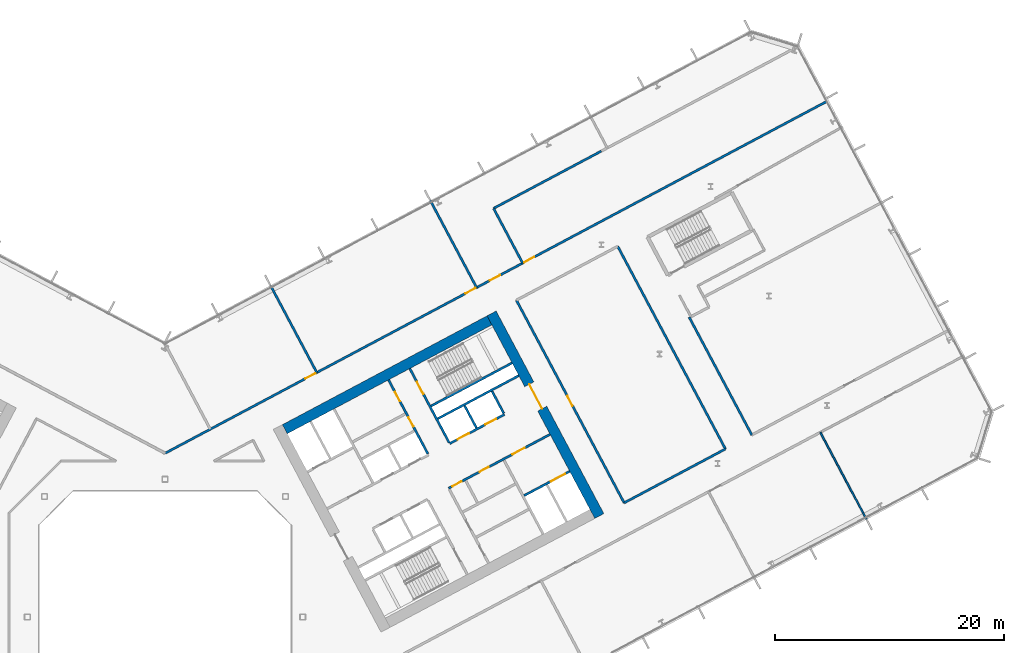
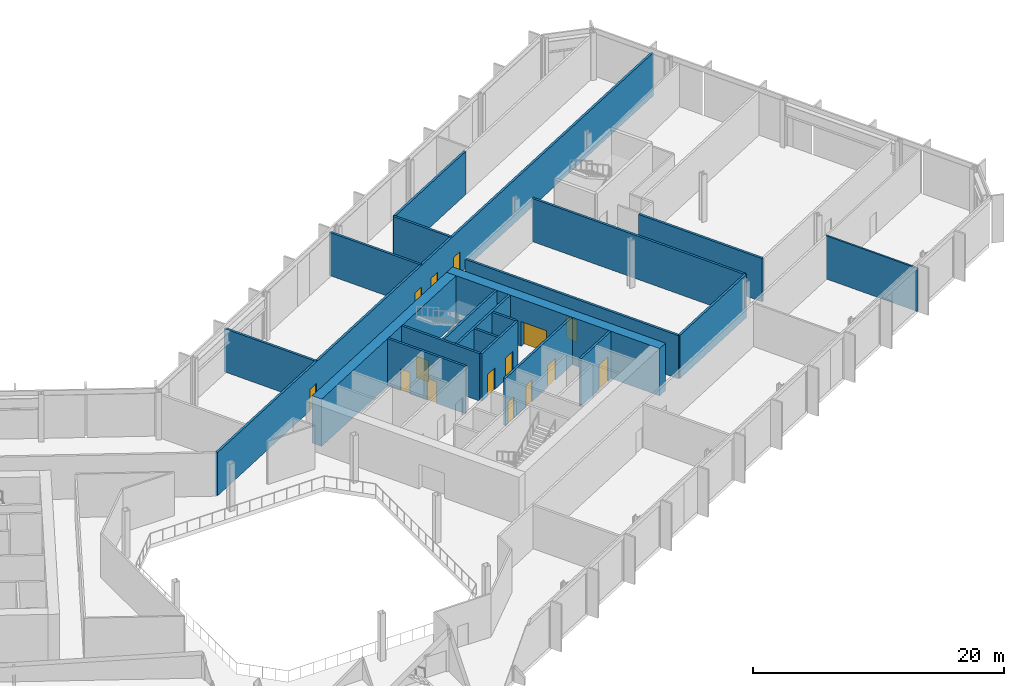
# One storey, part 18 of 31: 21 walls, 15 doors, 15 openings.
"""IFC4 building model written with IfcOpenShell, lengths in metres."""

from ifc_helpers import new_model, si_unit, direction, frame, frame_2d, origin, place, context, subcontext, project, spatial, rectangle, extrude, material, layer, layer_set, type_object, element, fill, save


model = new_model("IFC4")

# Units and contexts
model_context = context("Model", 3, precision=1e-05, world=origin(), true_north=direction((0.0, 1.0)))
body_context = subcontext(model_context, "Body", "Model", "MODEL_VIEW")
ifc_project = project(units=[si_unit("LENGTHUNIT", "METRE"), si_unit("AREAUNIT", "SQUARE_METRE"), si_unit("VOLUMEUNIT", "CUBIC_METRE"), si_unit("PLANEANGLEUNIT", "RADIAN"), si_unit("MASSUNIT", "GRAM", prefix="KILO")], contexts=[model_context])

# Site, building, storey
site_placement = place(None, origin())
site = spatial("IfcSite", under=ifc_project, at=site_placement, CompositionType="ELEMENT")
building_placement = place(site_placement, origin())
building = spatial("IfcBuilding", under=site, at=building_placement, Name="Cormorant Relay Tower", CompositionType="ELEMENT")
storey_placement = place(building_placement, frame((0.0, 0.0, 103.0)))
storey = spatial("IfcBuildingStorey", under=building, at=storey_placement, Name="L20", CompositionType="ELEMENT", Elevation=103.0)

# Wall
ifc_material_1 = material(Name="Concrete 40 MPa", Category="concrete")
ifc_layer_1 = layer(ifc_material_1, 0.199951171875)
ifc_layer_set_1 = layer_set([ifc_layer_1], Name="Core internal wall 200")
wall_type_1 = type_object("IfcWallType", Name="Core internal wall 200", PredefinedType="SOLIDWALL", material=ifc_layer_set_1)
wall_1_placement = place(storey_placement, frame((27.144287109375, 16.471435546875, 0.0), z_axis=(0.0, 0.0, 1.0), x_axis=(-0.469401318492, 0.882984938828, 0.0)))
element("IfcWall", 1, at=wall_1_placement, inside=storey, type_object=wall_type_1, Name="L20 core B shaft and room wall", PredefinedType="SOLIDWALL", context=body_context, shape_type="SweptSolid", body=[
    extrude(rectangle(XDim=2.199951171875, YDim=0.199951171875, at=frame_2d((1.10009765625, 0.0))), origin(), (0.0, 0.0, 1.0), 4.60009765625),
])

# Wall, openings, doors
ifc_material_2 = material(Name="Concrete 50 MPa", Category="concrete")
ifc_layer_2 = layer(ifc_material_2, 0.199951171875)
ifc_layer_set_2 = layer_set([ifc_layer_2], Name="Core shaft wall 200")
wall_type_2 = type_object("IfcWallType", Name="Core shaft wall 200", PredefinedType="SHEAR", material=ifc_layer_set_2)
wall_2_placement = place(storey_placement, frame((22.90625, 14.218017578125, 0.0), z_axis=(0.0, 0.0, 1.0), x_axis=(-0.469480409012, 0.88294288918, 0.0)))
wall_2 = element("IfcWall", 2, at=wall_2_placement, inside=storey, type_object=wall_type_2, Name="L20 core B shaft wall", PredefinedType="SHEAR", context=body_context, shape_type="SweptSolid", body=[
    extrude(rectangle(XDim=7.300048828125, YDim=0.199951171875, at=frame_2d((3.64990234375, 0.0))), origin(), (0.0, 0.0, 1.0), 4.60009765625),
])
opening_1_placement = place(wall_2_placement, frame((2.699951171875, 0.0, 0.0)))
opening_1 = element("IfcOpeningElement", 3, at=opening_1_placement, cuts=wall_2, Name="Opening CDD-141", PredefinedType="OPENING", context=body_context, shape_type="SweptSolid", body=[
    extrude(rectangle(XDim=0.89990234375, YDim=2.10009765625, at=frame_2d((0.449951171875, 1.050048828125))), frame((0.0, 0.10986328125, 0.0), z_axis=(0.0, -1.0, 0.0), x_axis=(1.0, 0.0, 0.0)), (0.0, 0.0, 1.0), 0.219970703125),
])
opening_2_placement = place(wall_2_placement, frame((5.199951171875, 0.0, 0.0)))
opening_2 = element("IfcOpeningElement", 4, at=opening_2_placement, cuts=wall_2, Name="Opening CDD-142", PredefinedType="OPENING", context=body_context, shape_type="SweptSolid", body=[
    extrude(rectangle(XDim=0.89990234375, YDim=2.10009765625, at=frame_2d((0.449951171875, 1.050048828125))), frame((0.0, 0.10986328125, 0.0), z_axis=(0.0, -1.0, 0.0), x_axis=(1.0, 0.0, 0.0)), (0.0, 0.0, 1.0), 0.219970703125),
])
ifc_material_3 = material(Name="Steel fire door", Category="steel")
door_type_1 = type_object("IfcDoorType", Name="Core room door 900x2100", OperationType="SINGLE_SWING_LEFT", PredefinedType="DOOR", material=ifc_material_3)
door_1_placement = place(opening_1_placement, origin())
door_1 = element("IfcDoor", 5, at=door_1_placement, inside=storey, type_object=door_type_1, Name="Core room door 900x2100", OperationType="SINGLE_SWING_RIGHT", OverallHeight=2.10009765625, OverallWidth=0.89990234375, PredefinedType="DOOR", context=body_context, shape_type="SweptSolid", body=[
    extrude(rectangle(XDim=0.89990234375, YDim=2.10009765625, at=frame_2d((0.449951171875, 1.050048828125))), frame((0.0, 0.02490234375, 0.0), z_axis=(0.0, -1.0, 0.0), x_axis=(1.0, 0.0, 0.0)), (0.0, 0.0, 1.0), 0.050048828125),
])
fill(opening_1, door_1)
door_2_placement = place(opening_2_placement, origin())
door_2 = element("IfcDoor", 6, at=door_2_placement, inside=storey, type_object=door_type_1, Name="Core room door 900x2100", OperationType="SINGLE_SWING_LEFT", OverallHeight=2.10009765625, OverallWidth=0.89990234375, PredefinedType="DOOR", context=body_context, shape_type="SweptSolid", body=[
    extrude(rectangle(XDim=0.89990234375, YDim=2.10009765625, at=frame_2d((0.449951171875, 1.050048828125))), frame((0.0, 0.02490234375, 0.0), z_axis=(0.0, -1.0, 0.0), x_axis=(1.0, 0.0, 0.0)), (0.0, 0.0, 1.0), 0.050048828125),
])
fill(opening_2, door_2)

# Wall, opening, door
wall_3_placement = place(storey_placement, frame((24.760498046875, 15.2041015625, 0.0), z_axis=(0.0, 0.0, 1.0), x_axis=(-0.469494272526, 0.882935517501, 0.0)))
wall_3 = element("IfcWall", 7, at=wall_3_placement, inside=storey, type_object=wall_type_2, Name="L20 core B shaft wall", PredefinedType="SHEAR", context=body_context, shape_type="SweptSolid", body=[
    extrude(rectangle(XDim=7.2998046875, YDim=0.199951171875, at=frame_2d((3.64990234375, 0.0))), origin(), (0.0, 0.0, 1.0), 4.60009765625),
])
opening_3_placement = place(wall_3_placement, frame((4.800048828125, 0.0, 0.0)))
opening_3 = element("IfcOpeningElement", 8, at=opening_3_placement, cuts=wall_3, Name="Opening CDB-027", PredefinedType="OPENING", context=body_context, shape_type="SweptSolid", body=[
    extrude(rectangle(XDim=1.199951171875, YDim=2.10009765625, at=frame_2d((0.60009765625, 1.050048828125))), frame((0.0, 0.10986328125, 0.0), z_axis=(0.0, -1.0, 0.0), x_axis=(1.0, 0.0, 0.0)), (0.0, 0.0, 1.0), 0.219970703125),
])
ifc_material_4 = material(Name="Steel fire door", Category="steel")
door_type_2 = type_object("IfcDoorType", Name="Core stair door 1200x2100", OperationType="SINGLE_SWING_LEFT", PredefinedType="DOOR", material=ifc_material_4)
door_3_placement = place(opening_3_placement, frame((1.199951171875, 0.0, 0.0), z_axis=(0.0, 0.0, 1.0), x_axis=(-1.0, 0.0, 0.0)))
door_3 = element("IfcDoor", 9, at=door_3_placement, inside=storey, type_object=door_type_2, Name="Core stair door 1200x2100", OperationType="SINGLE_SWING_RIGHT", OverallHeight=2.10009765625, OverallWidth=1.199951171875, PredefinedType="DOOR", context=body_context, shape_type="SweptSolid", body=[
    extrude(rectangle(XDim=1.199951171875, YDim=2.10009765625, at=frame_2d((0.60009765625, 1.050048828125))), frame((0.0, 0.02490234375, 0.0), z_axis=(0.0, -1.0, 0.0), x_axis=(1.0, 0.0, 0.0)), (0.0, 0.0, 1.0), 0.050048828125),
])
fill(opening_3, door_3)

# Wall
wall_4_placement = place(storey_placement, frame((29.5283203125, 17.739013671875, 0.0), z_axis=(0.0, 0.0, 1.0), x_axis=(-0.469401318492, 0.882984938828, 0.0)))
element("IfcWall", 10, at=wall_4_placement, inside=storey, type_object=wall_type_2, Name="L20 core B shaft wall", PredefinedType="SHEAR", context=body_context, shape_type="SweptSolid", body=[
    extrude(rectangle(XDim=2.199951171875, YDim=0.199951171875, at=frame_2d((1.10009765625, 0.0))), origin(), (0.0, 0.0, 1.0), 4.60009765625),
])

# Wall, opening, door
wall_5_placement = place(storey_placement, frame((31.295654296875, 10.5810546875, 0.0), z_axis=(0.0, 0.0, 1.0), x_axis=(0.882960433586, 0.469447412093, 0.0)))
wall_5 = element("IfcWall", 11, at=wall_5_placement, inside=storey, type_object=wall_type_2, Name="L20 core B shaft wall", PredefinedType="SHEAR", context=body_context, shape_type="SweptSolid", body=[
    extrude(rectangle(XDim=4.5, YDim=0.199951171875, at=frame_2d((2.25, 0.0))), origin(), (0.0, 0.0, 1.0), 4.60009765625),
])
opening_4_placement = place(wall_5_placement, frame((2.64990234375, 0.0, 0.0)))
opening_4 = element("IfcOpeningElement", 12, at=opening_4_placement, cuts=wall_5, Name="Opening LD3-010", PredefinedType="OPENING", context=body_context, shape_type="SweptSolid", body=[
    extrude(rectangle(XDim=1.39990234375, YDim=2.39990234375, at=frame_2d((0.699951171875, 1.199951171875))), frame((0.0, 0.10986328125, 0.0), z_axis=(0.0, -1.0, 0.0), x_axis=(1.0, 0.0, 0.0)), (0.0, 0.0, 1.0), 0.219970703125),
])
ifc_material_5 = material(Name="Stainless steel 316", Category="steel")
door_type_3 = type_object("IfcDoorType", Name="Lift landing door 1400x2400", OperationType="DOUBLE_DOOR_SLIDING", PredefinedType="DOOR", material=ifc_material_5)
door_4_placement = place(opening_4_placement, origin())
door_4 = element("IfcDoor", 13, at=door_4_placement, inside=storey, type_object=door_type_3, Name="SV2 landing door", OperationType="DOUBLE_DOOR_SLIDING", OverallHeight=2.39990234375, OverallWidth=1.39990234375, PredefinedType="DOOR", context=body_context, shape_type="SweptSolid", body=[
    extrude(rectangle(XDim=1.39990234375, YDim=2.39990234375, at=frame_2d((0.699951171875, 1.199951171875))), frame((0.0, 0.02490234375, 0.0), z_axis=(0.0, -1.0, 0.0), x_axis=(1.0, 0.0, 0.0)), (0.0, 0.0, 1.0), 0.050048828125),
])
fill(opening_4, door_4)

# Wall, openings, doors
wall_6_placement = place(storey_placement, frame((24.72607421875, 11.2216796875, 0.0), z_axis=(0.0, 0.0, 1.0), x_axis=(0.882940221191, 0.469485426614, 0.0)))
wall_6 = element("IfcWall", 14, at=wall_6_placement, inside=storey, type_object=wall_type_2, Name="L20 core B shaft wall", PredefinedType="SHEAR", context=body_context, shape_type="SweptSolid", body=[
    extrude(rectangle(XDim=10.0, YDim=0.199951171875, at=frame_2d((5.0, 0.0))), origin(), (0.0, 0.0, 1.0), 4.60009765625),
])
opening_5_placement = place(wall_6_placement, frame((6.300048828125, 0.0, 0.0)))
opening_5 = element("IfcOpeningElement", 15, at=opening_5_placement, cuts=wall_6, Name="Opening CDC-020", PredefinedType="OPENING", context=body_context, shape_type="SweptSolid", body=[
    extrude(rectangle(XDim=1.199951171875, YDim=2.10009765625, at=frame_2d((0.60009765625, 1.050048828125))), frame((0.0, 0.10986328125, 0.0), z_axis=(0.0, -1.0, 0.0), x_axis=(1.0, 0.0, 0.0)), (0.0, 0.0, 1.0), 0.219970703125),
])
opening_6_placement = place(wall_6_placement, frame((0.360107421875, 0.0, 0.0)))
opening_6 = element("IfcOpeningElement", 16, at=opening_6_placement, cuts=wall_6, Name="Opening CDD-119", PredefinedType="OPENING", context=body_context, shape_type="SweptSolid", body=[
    extrude(rectangle(XDim=0.89990234375, YDim=2.10009765625, at=frame_2d((0.449951171875, 1.050048828125))), frame((0.0, 0.10986328125, 0.0), z_axis=(0.0, -1.0, 0.0), x_axis=(1.0, 0.0, 0.0)), (0.0, 0.0, 1.0), 0.219970703125),
])
opening_7_placement = place(wall_6_placement, frame((3.06005859375, 0.0, 0.0)))
opening_7 = element("IfcOpeningElement", 17, at=opening_7_placement, cuts=wall_6, Name="Opening CDD-120", PredefinedType="OPENING", context=body_context, shape_type="SweptSolid", body=[
    extrude(rectangle(XDim=0.89990234375, YDim=2.10009765625, at=frame_2d((0.449951171875, 1.050048828125))), frame((0.0, 0.10986328125, 0.0), z_axis=(0.0, -1.0, 0.0), x_axis=(1.0, 0.0, 0.0)), (0.0, 0.0, 1.0), 0.219970703125),
])
ifc_material_6 = material(Name="Steel fire door", Category="steel")
door_type_4 = type_object("IfcDoorType", Name="Core lobby door 1200x2100", OperationType="SINGLE_SWING_LEFT", PredefinedType="DOOR", material=ifc_material_6)
door_5_placement = place(opening_5_placement, frame((1.199951171875, 0.0, 0.0), z_axis=(0.0, 0.0, 1.0), x_axis=(-1.0, 0.0, 0.0)))
door_5 = element("IfcDoor", 18, at=door_5_placement, inside=storey, type_object=door_type_4, Name="Core lobby door 1200x2100", OperationType="SINGLE_SWING_RIGHT", OverallHeight=2.10009765625, OverallWidth=1.199951171875, PredefinedType="DOOR", context=body_context, shape_type="SweptSolid", body=[
    extrude(rectangle(XDim=1.199951171875, YDim=2.10009765625, at=frame_2d((0.60009765625, 1.050048828125))), frame((0.0, 0.02490234375, 0.0), z_axis=(0.0, -1.0, 0.0), x_axis=(1.0, 0.0, 0.0)), (0.0, 0.0, 1.0), 0.050048828125),
])
fill(opening_5, door_5)
door_6_placement = place(opening_6_placement, frame((0.89990234375, 0.0, 0.0), z_axis=(0.0, 0.0, 1.0), x_axis=(-1.0, 0.0, 0.0)))
door_6 = element("IfcDoor", 19, at=door_6_placement, inside=storey, type_object=door_type_1, Name="Core room door 900x2100", OperationType="SINGLE_SWING_RIGHT", OverallHeight=2.10009765625, OverallWidth=0.89990234375, PredefinedType="DOOR", context=body_context, shape_type="SweptSolid", body=[
    extrude(rectangle(XDim=0.89990234375, YDim=2.10009765625, at=frame_2d((0.449951171875, 1.050048828125))), frame((0.0, 0.02490234375, 0.0), z_axis=(0.0, -1.0, 0.0), x_axis=(1.0, 0.0, 0.0)), (0.0, 0.0, 1.0), 0.050048828125),
])
fill(opening_6, door_6)
door_7_placement = place(opening_7_placement, frame((0.89990234375, 0.0, 0.0), z_axis=(0.0, 0.0, 1.0), x_axis=(-1.0, 0.0, 0.0)))
door_7 = element("IfcDoor", 20, at=door_7_placement, inside=storey, type_object=door_type_1, Name="Core room door 900x2100", OperationType="SINGLE_SWING_RIGHT", OverallHeight=2.10009765625, OverallWidth=0.89990234375, PredefinedType="DOOR", context=body_context, shape_type="SweptSolid", body=[
    extrude(rectangle(XDim=0.89990234375, YDim=2.10009765625, at=frame_2d((0.449951171875, 1.050048828125))), frame((0.0, 0.02490234375, 0.0), z_axis=(0.0, -1.0, 0.0), x_axis=(1.0, 0.0, 0.0)), (0.0, 0.0, 1.0), 0.050048828125),
])
fill(opening_7, door_7)

wall_7_placement = place(storey_placement, frame((24.807373046875, 15.11572265625, 0.0), z_axis=(0.0, 0.0, 1.0), x_axis=(0.882942972946, 0.469480251476, 0.0)))
wall_7 = element("IfcWall", 21, at=wall_7_placement, inside=storey, type_object=wall_type_2, Name="L20 core B shaft wall", PredefinedType="SHEAR", context=body_context, shape_type="SweptSolid", body=[
    extrude(rectangle(XDim=5.39990234375, YDim=0.199951171875, at=frame_2d((2.699951171875, 0.0))), origin(), (0.0, 0.0, 1.0), 4.60009765625),
])
opening_8_placement = place(wall_7_placement, frame((0.800048828125, 0.0, 0.0)))
opening_8 = element("IfcOpeningElement", 22, at=opening_8_placement, cuts=wall_7, Name="Opening LD1-030", PredefinedType="OPENING", context=body_context, shape_type="SweptSolid", body=[
    extrude(rectangle(XDim=1.10009765625, YDim=2.10009765625, at=frame_2d((0.550048828125, 1.050048828125))), frame((0.0, 0.10986328125, 0.0), z_axis=(0.0, -1.0, 0.0), x_axis=(1.0, 0.0, 0.0)), (0.0, 0.0, 1.0), 0.219970703125),
])
opening_9_placement = place(wall_7_placement, frame((3.5, 0.0, 0.0)))
opening_9 = element("IfcOpeningElement", 23, at=opening_9_placement, cuts=wall_7, Name="Opening LD1-031", PredefinedType="OPENING", context=body_context, shape_type="SweptSolid", body=[
    extrude(rectangle(XDim=1.10009765625, YDim=2.10009765625, at=frame_2d((0.550048828125, 1.050048828125))), frame((0.0, 0.10986328125, 0.0), z_axis=(0.0, -1.0, 0.0), x_axis=(1.0, 0.0, 0.0)), (0.0, 0.0, 1.0), 0.219970703125),
])
ifc_material_7 = material(Name="Stainless steel 316", Category="steel")
door_type_5 = type_object("IfcDoorType", Name="Lift landing door 1100x2100", OperationType="DOUBLE_DOOR_SLIDING", PredefinedType="DOOR", material=ifc_material_7)
door_8_placement = place(opening_8_placement, origin())
door_8 = element("IfcDoor", 24, at=door_8_placement, inside=storey, type_object=door_type_5, Name="LR3 landing door", OperationType="DOUBLE_DOOR_SLIDING", OverallHeight=2.10009765625, OverallWidth=1.10009765625, PredefinedType="DOOR", context=body_context, shape_type="SweptSolid", body=[
    extrude(rectangle(XDim=1.10009765625, YDim=2.10009765625, at=frame_2d((0.550048828125, 1.050048828125))), frame((0.0, 0.02490234375, 0.0), z_axis=(0.0, -1.0, 0.0), x_axis=(1.0, 0.0, 0.0)), (0.0, 0.0, 1.0), 0.050048828125),
])
fill(opening_8, door_8)
door_9_placement = place(opening_9_placement, origin())
door_9 = element("IfcDoor", 25, at=door_9_placement, inside=storey, type_object=door_type_5, Name="LR4 landing door", OperationType="DOUBLE_DOOR_SLIDING", OverallHeight=2.10009765625, OverallWidth=1.10009765625, PredefinedType="DOOR", context=body_context, shape_type="SweptSolid", body=[
    extrude(rectangle(XDim=1.10009765625, YDim=2.10009765625, at=frame_2d((0.550048828125, 1.050048828125))), frame((0.0, 0.02490234375, 0.0), z_axis=(0.0, -1.0, 0.0), x_axis=(1.0, 0.0, 0.0)), (0.0, 0.0, 1.0), 0.050048828125),
])
fill(opening_9, door_9)

# Walls
wall_8_placement = place(storey_placement, frame((23.76904296875, 17.28173828125, 0.0), z_axis=(0.0, 0.0, 1.0), x_axis=(0.882940221191, 0.469485426614, 0.0)))
element("IfcWall", 26, at=wall_8_placement, inside=storey, type_object=wall_type_2, Name="L20 core B shaft wall", PredefinedType="SHEAR", context=body_context, shape_type="SweptSolid", body=[
    extrude(rectangle(XDim=8.0, YDim=0.199951171875, at=frame_2d((4.0, 0.0))), origin(), (0.0, 0.0, 1.0), 4.60009765625),
])
wall_9_placement = place(storey_placement, frame((23.18212890625, 18.385498046875, 0.0), z_axis=(0.0, 0.0, 1.0), x_axis=(0.88295287151, 0.469461634952, 0.0)))
element("IfcWall", 27, at=wall_9_placement, inside=storey, type_object=wall_type_2, Name="L20 core B shaft wall", PredefinedType="SHEAR", context=body_context, shape_type="SweptSolid", body=[
    extrude(rectangle(XDim=7.999755859375, YDim=0.199951171875, at=frame_2d((4.0, 0.0))), origin(), (0.0, 0.0, 1.0), 4.60009765625),
])

# Wall, opening, door
ifc_material_8 = material(Name="Concrete 70 MPa", Category="concrete")
ifc_layer_3 = layer(ifc_material_8, 0.89990234375)
ifc_layer_set_3 = layer_set([ifc_layer_3], Name="Core wall 900")
wall_type_3 = type_object("IfcWallType", Name="Core wall 900", PredefinedType="SHEAR", material=ifc_layer_set_3)
wall_10_placement = place(storey_placement, frame((37.849365234375, 8.799072265625, 0.0), z_axis=(0.0, 0.0, 1.0), x_axis=(-0.469465789982, 0.882950662289, 0.0)))
wall_10 = element("IfcWall", 28, at=wall_10_placement, inside=storey, type_object=wall_type_3, Name="L20 core B wall", PredefinedType="SHEAR", context=body_context, shape_type="SweptSolid", body=[
    extrude(rectangle(XDim=20.000244140625, YDim=0.89990234375, at=frame_2d((10.0, 0.0))), origin(), (0.0, 0.0, 1.0), 4.60009765625),
])
opening_10_placement = place(wall_10_placement, frame((10.60009765625, 0.0, 0.0)))
opening_10 = element("IfcOpeningElement", 29, at=opening_10_placement, cuts=wall_10, Name="Opening CDA-020", PredefinedType="OPENING", context=body_context, shape_type="SweptSolid", body=[
    extrude(rectangle(XDim=2.39990234375, YDim=2.39990234375, at=frame_2d((1.199951171875, 1.199951171875))), frame((0.0, 0.4599609375, 0.0), z_axis=(0.0, -1.0, 0.0), x_axis=(1.0, 0.0, 0.0)), (0.0, 0.0, 1.0), 0.919921875),
])
ifc_material_9 = material(Name="Steel fire door", Category="steel")
door_type_6 = type_object("IfcDoorType", Name="Core lobby door 2400x2400", OperationType="DOUBLE_DOOR_SINGLE_SWING", PredefinedType="DOOR", material=ifc_material_9)
door_10_placement = place(opening_10_placement, origin())
door_10 = element("IfcDoor", 30, at=door_10_placement, inside=storey, type_object=door_type_6, Name="Core lobby door 2400x2400", OperationType="DOUBLE_DOOR_SINGLE_SWING", OverallHeight=2.39990234375, OverallWidth=2.39990234375, PredefinedType="DOOR", context=body_context, shape_type="SweptSolid", body=[
    extrude(rectangle(XDim=2.39990234375, YDim=2.39990234375, at=frame_2d((1.199951171875, 1.199951171875))), frame((0.0, 0.02490234375, 0.0), z_axis=(0.0, -1.0, 0.0), x_axis=(1.0, 0.0, 0.0)), (0.0, 0.0, 1.0), 0.050048828125),
])
fill(opening_10, door_10)

# Wall
wall_11_placement = place(storey_placement, frame((10.4384765625, 16.3662109375, 0.0), z_axis=(0.0, 0.0, 1.0), x_axis=(0.88294509198, 0.469476266226, 0.0)))
element("IfcWall", 31, at=wall_11_placement, inside=storey, type_object=wall_type_3, Name="L20 core B wall", PredefinedType="SHEAR", context=body_context, shape_type="SweptSolid", body=[
    extrude(rectangle(XDim=20.199951171875, YDim=0.89990234375, at=frame_2d((10.10009765625, 0.0))), origin(), (0.0, 0.0, 1.0), 4.60009765625),
])

# Wall, openings, doors
ifc_material_10 = material(Name="Fire-rated gypsum board partition")
ifc_layer_4 = layer(ifc_material_10, 0.199951171875)
ifc_layer_set_4 = layer_set([ifc_layer_4], Name="Fire-rated gypsum partition 200")
wall_type_4 = type_object("IfcWallType", Name="Fire-rated gypsum partition 200", PredefinedType="PARTITIONING", material=ifc_layer_set_4)
wall_12_placement = place(storey_placement, frame((0.0, 14.27001953125, 0.0), z_axis=(0.0, 0.0, 1.0), x_axis=(0.882946949892, 0.46947277203, 0.0)))
wall_12 = element("IfcWall", 32, at=wall_12_placement, inside=storey, type_object=wall_type_4, Name="wall/L20/part/15", PredefinedType="PARTITIONING", context=body_context, shape_type="SweptSolid", body=[
    extrude(rectangle(XDim=65.5009765625, YDim=0.199951171875, at=frame_2d((32.75048828125, 0.0))), origin(), (0.0, 0.0, 1.0), 4.199951171875),
])
opening_11_placement = place(wall_12_placement, frame((35.449951171875, 0.0, 0.0)))
opening_11 = element("IfcOpeningElement", 33, at=opening_11_placement, cuts=wall_12, Name="Opening FD1-110", PredefinedType="OPENING", context=body_context, shape_type="SweptSolid", body=[
    extrude(rectangle(XDim=1.0, YDim=2.10009765625, at=frame_2d((0.5, 1.050048828125))), frame((0.0, 0.10986328125, 0.0), z_axis=(0.0, -1.0, 0.0), x_axis=(1.0, 0.0, 0.0)), (0.0, 0.0, 1.0), 0.219970703125),
])
opening_12_placement = place(wall_12_placement, frame((32.050048828125, 0.0, 0.0)))
opening_12 = element("IfcOpeningElement", 34, at=opening_12_placement, cuts=wall_12, Name="Opening FD1-111", PredefinedType="OPENING", context=body_context, shape_type="SweptSolid", body=[
    extrude(rectangle(XDim=1.0, YDim=2.10009765625, at=frame_2d((0.5, 1.050048828125))), frame((0.0, 0.10986328125, 0.0), z_axis=(0.0, -1.0, 0.0), x_axis=(1.0, 0.0, 0.0)), (0.0, 0.0, 1.0), 0.219970703125),
])
opening_13_placement = place(wall_12_placement, frame((29.64990234375, 0.0, 0.0)))
opening_13 = element("IfcOpeningElement", 35, at=opening_13_placement, cuts=wall_12, Name="Opening FD1-112", PredefinedType="OPENING", context=body_context, shape_type="SweptSolid", body=[
    extrude(rectangle(XDim=1.0, YDim=2.10009765625, at=frame_2d((0.5, 1.050048828125))), frame((0.0, 0.10986328125, 0.0), z_axis=(0.0, -1.0, 0.0), x_axis=(1.0, 0.0, 0.0)), (0.0, 0.0, 1.0), 0.219970703125),
])
opening_14_placement = place(wall_12_placement, frame((13.85009765625, 0.0, 0.0)))
opening_14 = element("IfcOpeningElement", 36, at=opening_14_placement, cuts=wall_12, Name="Opening FD1-113", PredefinedType="OPENING", context=body_context, shape_type="SweptSolid", body=[
    extrude(rectangle(XDim=1.0, YDim=2.10009765625, at=frame_2d((0.5, 1.050048828125))), frame((0.0, 0.10986328125, 0.0), z_axis=(0.0, -1.0, 0.0), x_axis=(1.0, 0.0, 0.0)), (0.0, 0.0, 1.0), 0.219970703125),
])
ifc_material_11 = material(Name="Fire-rated steel door", Category="steel")
door_type_7 = type_object("IfcDoorType", Name="Fire door 1000 x 2100", OperationType="SINGLE_SWING_LEFT", PredefinedType="DOOR", material=ifc_material_11)
door_11_placement = place(opening_11_placement, origin())
door_11 = element("IfcDoor", 37, at=door_11_placement, inside=storey, type_object=door_type_7, Name="door/L20/5", OperationType="SINGLE_SWING_LEFT", OverallHeight=2.10009765625, OverallWidth=1.0, PredefinedType="DOOR", context=body_context, shape_type="SweptSolid", body=[
    extrude(rectangle(XDim=1.0, YDim=2.10009765625, at=frame_2d((0.5, 1.050048828125))), frame((0.0, 0.02490234375, 0.0), z_axis=(0.0, -1.0, 0.0), x_axis=(1.0, 0.0, 0.0)), (0.0, 0.0, 1.0), 0.050048828125),
])
fill(opening_11, door_11)
door_12_placement = place(opening_12_placement, origin())
door_12 = element("IfcDoor", 38, at=door_12_placement, inside=storey, type_object=door_type_7, Name="door/L20/6", OperationType="SINGLE_SWING_LEFT", OverallHeight=2.10009765625, OverallWidth=1.0, PredefinedType="DOOR", context=body_context, shape_type="SweptSolid", body=[
    extrude(rectangle(XDim=1.0, YDim=2.10009765625, at=frame_2d((0.5, 1.050048828125))), frame((0.0, 0.02490234375, 0.0), z_axis=(0.0, -1.0, 0.0), x_axis=(1.0, 0.0, 0.0)), (0.0, 0.0, 1.0), 0.050048828125),
])
fill(opening_12, door_12)
door_13_placement = place(opening_13_placement, origin())
door_13 = element("IfcDoor", 39, at=door_13_placement, inside=storey, type_object=door_type_7, Name="door/L20/7", OperationType="SINGLE_SWING_RIGHT", OverallHeight=2.10009765625, OverallWidth=1.0, PredefinedType="DOOR", context=body_context, shape_type="SweptSolid", body=[
    extrude(rectangle(XDim=1.0, YDim=2.10009765625, at=frame_2d((0.5, 1.050048828125))), frame((0.0, 0.02490234375, 0.0), z_axis=(0.0, -1.0, 0.0), x_axis=(1.0, 0.0, 0.0)), (0.0, 0.0, 1.0), 0.050048828125),
])
fill(opening_13, door_13)
door_14_placement = place(opening_14_placement, origin())
door_14 = element("IfcDoor", 40, at=door_14_placement, inside=storey, type_object=door_type_7, Name="door/L20/8", OperationType="SINGLE_SWING_RIGHT", OverallHeight=2.10009765625, OverallWidth=1.0, PredefinedType="DOOR", context=body_context, shape_type="SweptSolid", body=[
    extrude(rectangle(XDim=1.0, YDim=2.10009765625, at=frame_2d((0.5, 1.050048828125))), frame((0.0, 0.02490234375, 0.0), z_axis=(0.0, -1.0, 0.0), x_axis=(1.0, 0.0, 0.0)), (0.0, 0.0, 1.0), 0.050048828125),
])
fill(opening_14, door_14)

# Walls
wall_13_placement = place(storey_placement, frame((9.19091796875, 28.89794921875, 0.0), z_axis=(0.0, 0.0, 1.0), x_axis=(0.469409112223, -0.882980795579, 0.0)))
element("IfcWall", 41, at=wall_13_placement, inside=storey, type_object=wall_type_4, Name="wall/L20/part/26", PredefinedType="PARTITIONING", context=body_context, shape_type="SweptSolid", body=[
    extrude(rectangle(XDim=8.600341796875, YDim=0.199951171875, at=frame_2d((4.30029296875, 0.0))), origin(), (0.0, 0.0, 1.0), 4.199951171875),
])
wall_14_placement = place(storey_placement, frame((23.116943359375, 36.302001953125, 0.0), z_axis=(0.0, 0.0, 1.0), x_axis=(0.469544705103, -0.882908698513, 0.0)))
element("IfcWall", 42, at=wall_14_placement, inside=storey, type_object=wall_type_4, Name="wall/L20/part/32", PredefinedType="PARTITIONING", context=body_context, shape_type="SweptSolid", body=[
    extrude(rectangle(XDim=8.60009765625, YDim=0.199951171875, at=frame_2d((4.300048828125, 0.0))), origin(), (0.0, 0.0, 1.0), 4.199951171875),
])
wall_15_placement = place(storey_placement, frame((31.159912109375, 30.85791015625, 0.0), z_axis=(0.0, 0.0, 1.0), x_axis=(-0.469406117912, 0.882982387404, 0.0)))
element("IfcWall", 43, at=wall_15_placement, inside=storey, type_object=wall_type_4, Name="wall/L20/part/35", PredefinedType="PARTITIONING", context=body_context, shape_type="SweptSolid", body=[
    extrude(rectangle(XDim=5.383056640625, YDim=0.199951171875, at=frame_2d((2.69140625, 0.0))), origin(), (0.0, 0.0, 1.0), 4.199951171875),
])
wall_16_placement = place(storey_placement, frame((28.633056640625, 35.611083984375, 0.0), z_axis=(0.0, 0.0, 1.0), x_axis=(0.882930875779, 0.469503001691, 0.0)))
element("IfcWall", 44, at=wall_16_placement, inside=storey, type_object=wall_type_4, Name="wall/L20/part/36", PredefinedType="PARTITIONING", context=body_context, shape_type="SweptSolid", body=[
    extrude(rectangle(XDim=10.640625, YDim=0.199951171875, at=frame_2d((5.3203125, 0.0))), origin(), (0.0, 0.0, 1.0), 4.199951171875),
])
wall_17_placement = place(storey_placement, frame((45.678955078125, 26.1318359375, 0.0), z_axis=(0.0, 0.0, 1.0), x_axis=(0.469471943685, -0.882947390331, 0.0)))
element("IfcWall", 45, at=wall_17_placement, inside=storey, type_object=wall_type_4, Name="wall/L20/part/43", PredefinedType="PARTITIONING", context=body_context, shape_type="SweptSolid", body=[
    extrude(rectangle(XDim=11.6279296875, YDim=0.199951171875, at=frame_2d((5.81396484375, 0.0))), origin(), (0.0, 0.0, 1.0), 4.199951171875),
])
wall_18_placement = place(storey_placement, frame((39.452880859375, 32.302978515625, 0.0), z_axis=(0.0, 0.0, 1.0), x_axis=(0.469461333319, -0.882953031887, 0.0)))
element("IfcWall", 46, at=wall_18_placement, inside=storey, type_object=wall_type_4, Name="wall/L20/part/66", PredefinedType="PARTITIONING", context=body_context, shape_type="SweptSolid", body=[
    extrude(rectangle(XDim=19.999755859375, YDim=0.199951171875, at=frame_2d((10.0, 0.0))), origin(), (0.0, 0.0, 1.0), 4.199951171875),
])
wall_19_placement = place(storey_placement, frame((48.842041015625, 14.64404296875, 0.0), z_axis=(0.0, 0.0, 1.0), x_axis=(-0.882924718888, -0.46951457994, 0.0)))
element("IfcWall", 47, at=wall_19_placement, inside=storey, type_object=wall_type_4, Name="wall/L20/part/67", PredefinedType="PARTITIONING", context=body_context, shape_type="SweptSolid", body=[
    extrude(rectangle(XDim=9.999755859375, YDim=0.199951171875, at=frame_2d((5.0, 0.0))), origin(), (0.0, 0.0, 1.0), 4.199951171875),
])

# Wall, opening, door
wall_20_placement = place(storey_placement, frame((40.012939453125, 9.948974609375, 0.0), z_axis=(0.0, 0.0, 1.0), x_axis=(-0.469489882812, 0.882937851685, 0.0)))
wall_20 = element("IfcWall", 48, at=wall_20_placement, inside=storey, type_object=wall_type_4, Name="wall/L20/part/68", PredefinedType="PARTITIONING", context=body_context, shape_type="SweptSolid", body=[
    extrude(rectangle(XDim=20.000244140625, YDim=0.199951171875, at=frame_2d((10.0, 0.0))), origin(), (0.0, 0.0, 1.0), 4.199951171875),
])
opening_15_placement = place(wall_20_placement, frame((9.550048828125, 0.0, 0.0)))
opening_15 = element("IfcOpeningElement", 49, at=opening_15_placement, cuts=wall_20, Name="Opening FD1-108", PredefinedType="OPENING", context=body_context, shape_type="SweptSolid", body=[
    extrude(rectangle(XDim=1.0, YDim=2.10009765625, at=frame_2d((0.5, 1.050048828125))), frame((0.0, 0.10986328125, 0.0), z_axis=(0.0, -1.0, 0.0), x_axis=(1.0, 0.0, 0.0)), (0.0, 0.0, 1.0), 0.219970703125),
])
door_15_placement = place(opening_15_placement, origin())
door_15 = element("IfcDoor", 50, at=door_15_placement, inside=storey, type_object=door_type_7, Name="door/L20/21", OperationType="SINGLE_SWING_RIGHT", OverallHeight=2.10009765625, OverallWidth=1.0, PredefinedType="DOOR", context=body_context, shape_type="SweptSolid", body=[
    extrude(rectangle(XDim=1.0, YDim=2.10009765625, at=frame_2d((0.5, 1.050048828125))), frame((0.0, 0.02490234375, 0.0), z_axis=(0.0, -1.0, 0.0), x_axis=(1.0, 0.0, 0.0)), (0.0, 0.0, 1.0), 0.050048828125),
])
fill(opening_15, door_15)

# Wall
ifc_material_12 = material(Name="Gypsum board partition")
ifc_layer_5 = layer(ifc_material_12, 0.14990234375)
ifc_layer_set_5 = layer_set([ifc_layer_5], Name="Gypsum board partition 150")
wall_type_5 = type_object("IfcWallType", Name="Gypsum board partition 150", PredefinedType="PARTITIONING", material=ifc_layer_set_5)
wall_21_placement = place(storey_placement, frame((57.10498046875, 16.093017578125, 0.0), z_axis=(0.0, 0.0, 1.0), x_axis=(0.469409112223, -0.882980795579, 0.0)))
element("IfcWall", 51, at=wall_21_placement, inside=storey, type_object=wall_type_5, Name="wall/L20/part/51", PredefinedType="PARTITIONING", context=body_context, shape_type="SweptSolid", body=[
    extrude(rectangle(XDim=8.600341796875, YDim=0.14990234375, at=frame_2d((4.30029296875, 0.0))), origin(), (0.0, 0.0, 1.0), 4.199951171875),
])

save(model, "model.ifc")
